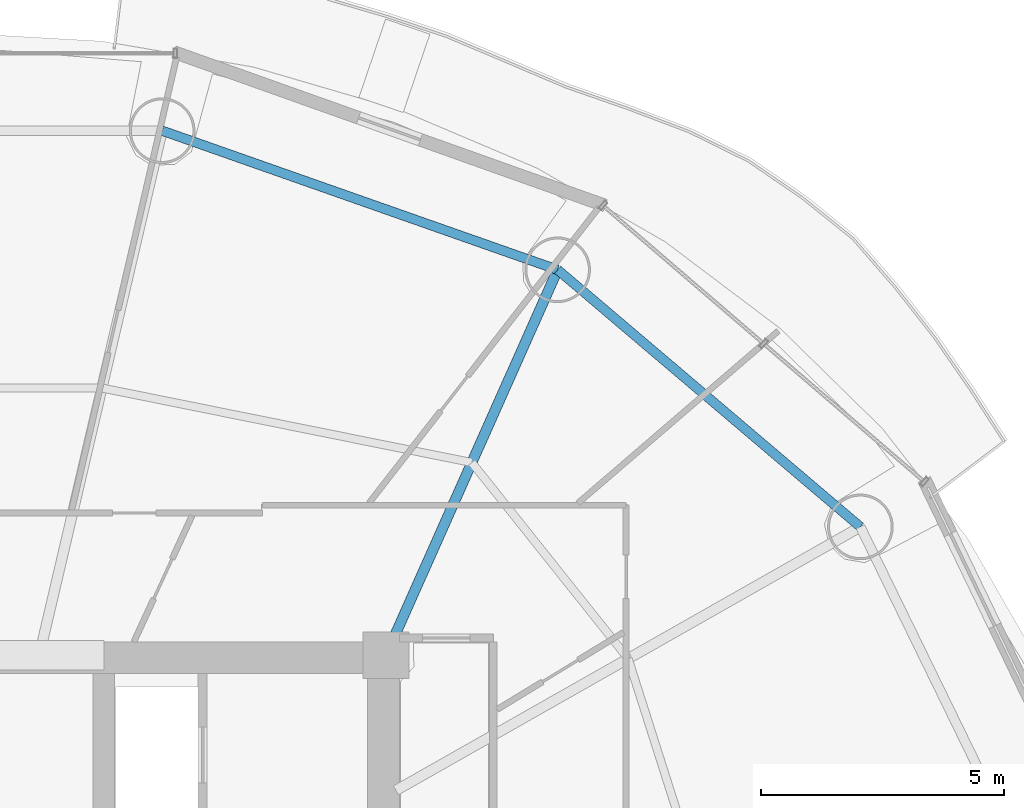
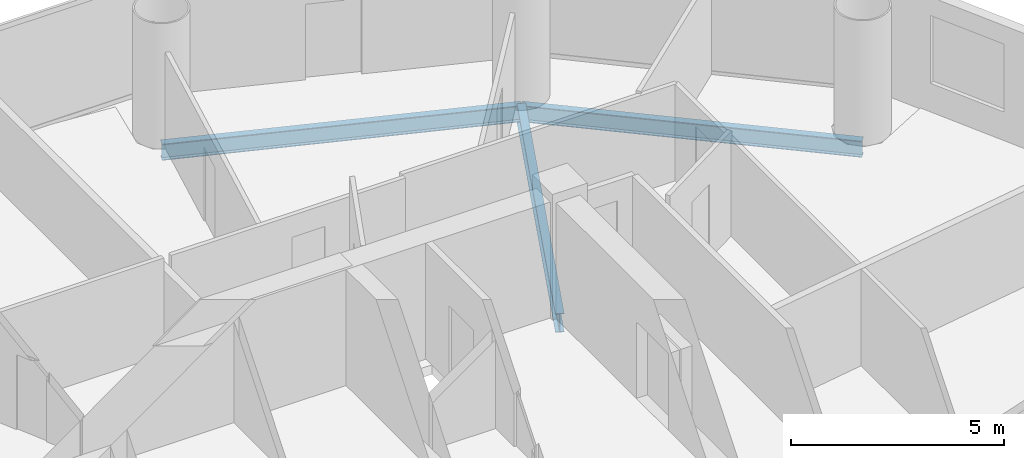
# One storey, part 17 of 26: 3 beams.
"""IFC4 building model written with IfcOpenShell, lengths in metres."""

from ifc_helpers import new_model, si_unit, direction, frame, origin, origin_2d, place, context, subcontext, project, spatial, i_section, extrude, material, material_profile, profile_set, type_object, element, save


model = new_model("IFC4")

# Units and contexts
model_context = context("Model", 3, precision=1e-05, world=origin(), true_north=direction((-0.2419218956, 0.970295726276)))
body_context = subcontext(model_context, "Body", "Model", "MODEL_VIEW")
ifc_project = project(units=[si_unit("LENGTHUNIT", "METRE"), si_unit("AREAUNIT", "SQUARE_METRE"), si_unit("VOLUMEUNIT", "CUBIC_METRE"), si_unit("PLANEANGLEUNIT", "RADIAN"), si_unit("MASSUNIT", "GRAM", prefix="KILO")], contexts=[model_context])

# Site, building, storey
site_placement = place(None, origin())
site = spatial("IfcSite", under=ifc_project, at=site_placement, CompositionType="ELEMENT")
building_placement = place(site_placement, origin())
building = spatial("IfcBuilding", under=site, at=building_placement, Name="Cobrevalo Terracotta Tower", CompositionType="ELEMENT")
storey_placement = place(building_placement, frame((0.0, 0.0, 135.39990234375)))
storey = spatial("IfcBuildingStorey", under=building, at=storey_placement, Name="L35", CompositionType="ELEMENT", Elevation=135.39990234375)

# Beams
ifc_material = material(Name="Steel S355", Category="steel")
ifc_material_profile_1 = material_profile(ifc_material, i_section(OverallWidth=0.2109375, OverallDepth=0.5390625, WebThickness=0.01171875, FlangeThickness=0.018798828125, at=origin_2d()), Name="W 530x109")
ifc_profile_set_1 = profile_set([ifc_material_profile_1], Name="Steel S355")
beam_type_1 = type_object("IfcBeamType", Name="Structural Beam W 530x109 (Steel S355)", PredefinedType="BEAM", material=ifc_profile_set_1)
beam_1_placement = place(storey_placement, frame((50.528076171875, 42.72265625, -0.539306640625), z_axis=(-0.406804395691, -0.913515289224, 0.0), x_axis=(0.913515289224, -0.406804395691, 0.0)))
element("IfcBeam", 1, at=beam_1_placement, inside=storey, type_object=beam_type_1, Name="L35 radial floor girder 03", PredefinedType="BEAM", context=body_context, shape_type="SweptSolid", body=[
    extrude(i_section(OverallWidth=0.2109375, OverallDepth=0.5390625, WebThickness=0.01171875, FlangeThickness=0.018798828125, at=origin_2d()), origin(), (0.0, 0.0, 1.0), 8.672607421875),
])
ifc_material_profile_2 = material_profile(ifc_material, i_section(OverallWidth=0.194091796875, OverallDepth=0.468994140625, WebThickness=0.011474609375, FlangeThickness=0.0205078125, at=origin_2d()), Name="W 460x106")
ifc_profile_set_2 = profile_set([ifc_material_profile_2], Name="Steel S355")
beam_type_2 = type_object("IfcBeamType", Name="Structural Spandrel W 460x106 (Steel S355)", PredefinedType="SPANDREL", material=ifc_profile_set_2)
beam_2_placement = place(storey_placement, frame((56.749755859375, 37.439208984375, -0.50439453125), z_axis=(-0.762240337798, 0.647294112003, 0.0), x_axis=(-0.647294112003, -0.762240337798, 0.0)))
element("IfcBeam", 2, at=beam_2_placement, inside=storey, type_object=beam_type_2, Name="L35 perimeter ring spandrel 02", PredefinedType="SPANDREL", context=body_context, shape_type="SweptSolid", body=[
    extrude(i_section(OverallWidth=0.194091796875, OverallDepth=0.468994140625, WebThickness=0.011474609375, FlangeThickness=0.0205078125, at=origin_2d()), origin(), (0.0, 0.0, 1.0), 8.162353515625),
])
beam_3_placement = place(storey_placement, frame((50.528076171875, 42.72265625, -0.50439453125), z_axis=(-0.943341298492, 0.331824041565, 0.0), x_axis=(-0.331824041565, -0.943341298492, 0.0)))
element("IfcBeam", 3, at=beam_3_placement, inside=storey, type_object=beam_type_2, Name="L35 perimeter ring spandrel 03", PredefinedType="SPANDREL", context=body_context, shape_type="SweptSolid", body=[
    extrude(i_section(OverallWidth=0.194091796875, OverallDepth=0.468994140625, WebThickness=0.011474609375, FlangeThickness=0.0205078125, at=origin_2d()), origin(), (0.0, 0.0, 1.0), 8.6171875),
])

save(model, "model.ifc")
